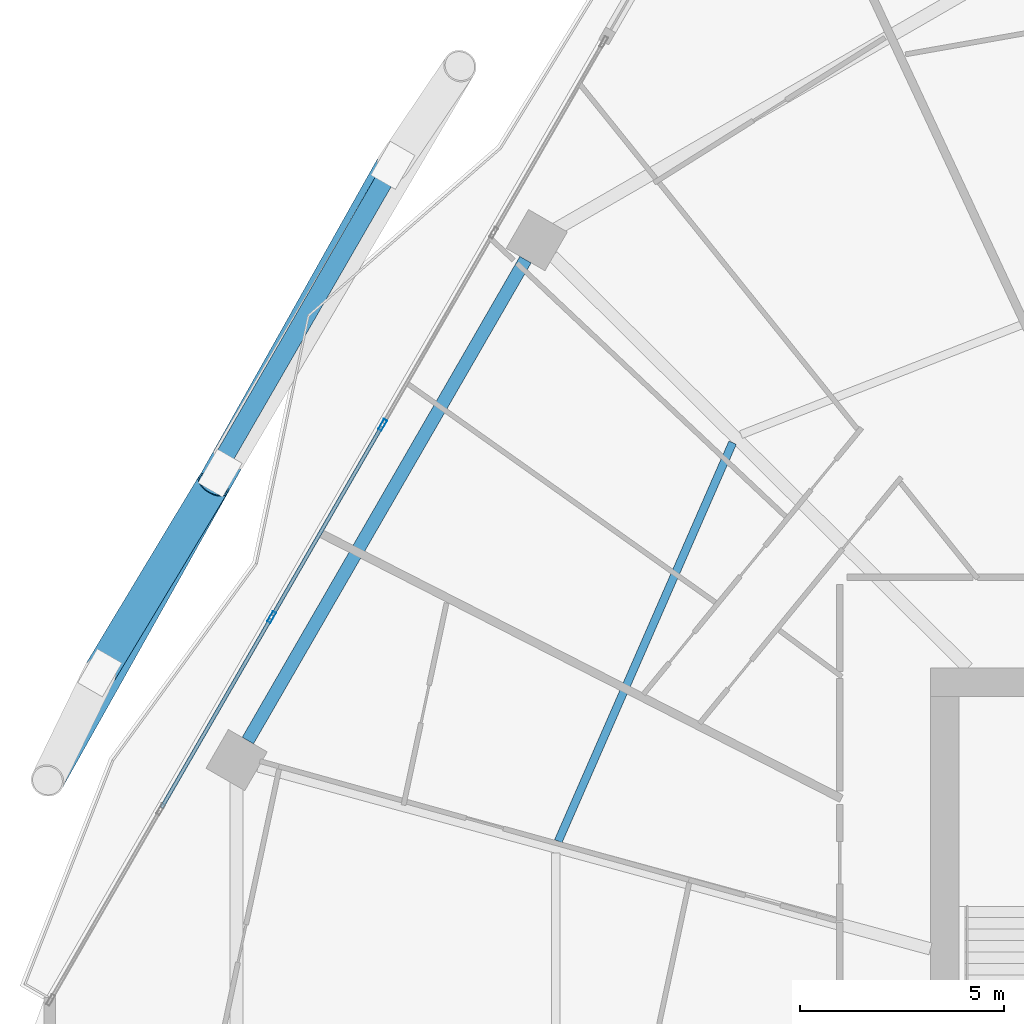
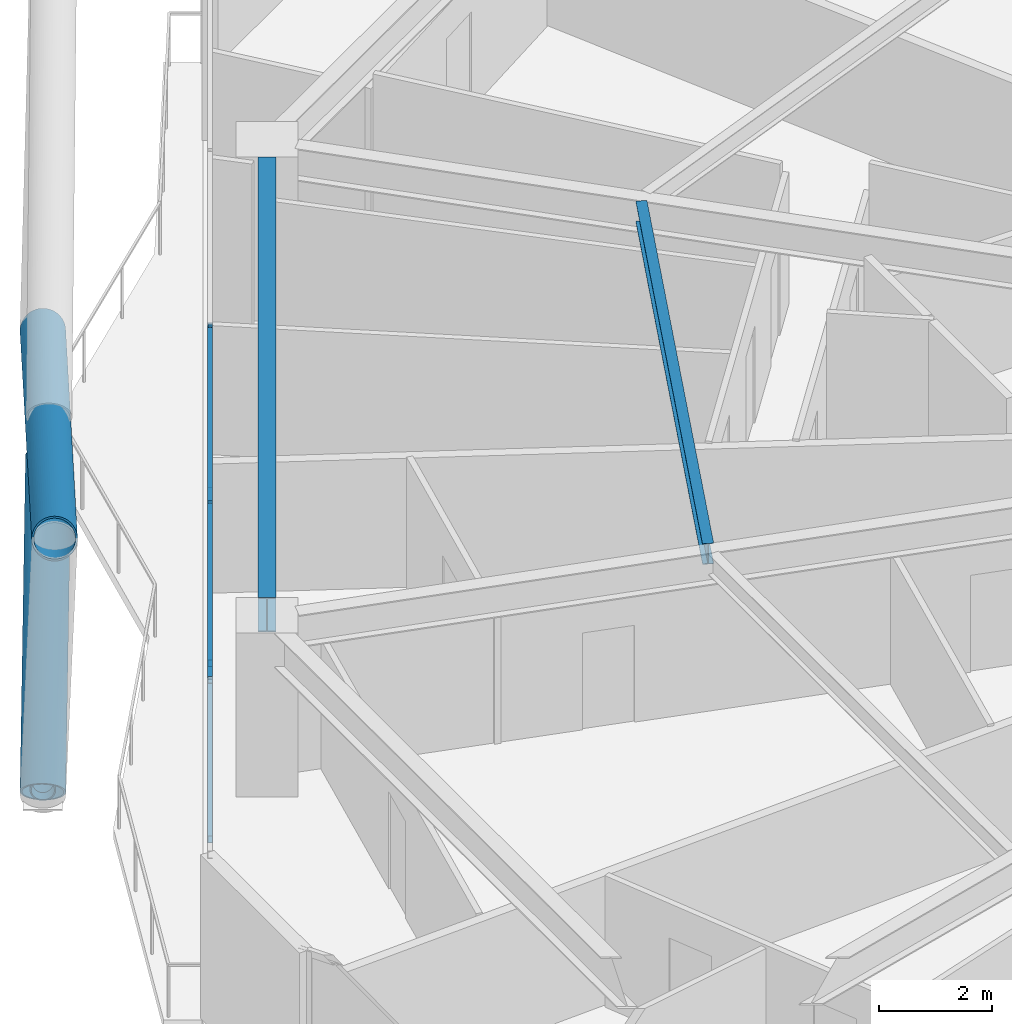
# One storey, part 15 of 34: 9 members, 2 beams, 1 element without a shape of its own.
"""IFC4 building model written with IfcOpenShell, lengths in metres."""

import ifcopenshell
import ifcopenshell.guid

model = None  # the IFC model being written
_history = None  # IfcOwnerHistory: only IFC2X3 demands one
_inside = {}  # id of a spatial element -> (the spatial element, [elements in it])
_under = {}  # id of a project, library or spatial element -> (it, [spatial elements below it])
_declared = {}  # id of a project -> (the project, [libraries it declares])
_typed = {}  # id of a type object -> (the type object, [elements of that type])
_made_of = {}  # id of a material, layer set ... -> (it, [elements and type objects made of it])


def new_model(schema):
    """Start an empty IFC model of exactly this schema.

    Asked for "IFC4X3", IfcOpenShell would pick the latest addendum, in which some entities
    have other attributes; the version numbers below select the first issue.
    IFC2X3 requires an IfcOwnerHistory on every rooted entity: one is made here for all.
    """
    global model, _history
    if schema == "IFC4X3":
        model = ifcopenshell.file(schema_version=(4, 3, 0, 0))
    else:
        model = ifcopenshell.file(schema=schema)
    _inside.clear()
    _under.clear()
    _declared.clear()
    _typed.clear()
    _made_of.clear()
    _history = None
    if model.schema == "IFC2X3":
        org = make("IfcOrganization", Name="unknown")
        user = make(
            "IfcPersonAndOrganization",
            ThePerson=make("IfcPerson", FamilyName="unknown"),
            TheOrganization=org,
        )
        app = make(
            "IfcApplication",
            ApplicationDeveloper=org,
            Version="unknown",
            ApplicationFullName="unknown",
            ApplicationIdentifier="unknown",
        )
        _history = make(
            "IfcOwnerHistory",
            OwningUser=user,
            OwningApplication=app,
            ChangeAction="ADDED",
            CreationDate=0,
        )
    return model


def make(cls, **values):
    """One entity of the class cls with the attributes given. An attribute that is None is left unset."""
    return model.create_entity(
        cls, **{name: value for name, value in values.items() if value is not None}
    )


def rooted(cls, **values):
    """An entity with a GlobalId (a new one), such as an element, a storey or a relation."""
    return make(cls, GlobalId=ifcopenshell.guid.new(), OwnerHistory=_history, **values)


def si_unit(unit_type, name, prefix=None):
    """IfcSIUnit, for example si_unit("LENGTHUNIT", "METRE", prefix="MILLI")."""
    return make("IfcSIUnit", UnitType=unit_type, Prefix=prefix, Name=name)


def assignment(units):
    """IfcUnitAssignment: the units of a project."""
    return None if units is None else make("IfcUnitAssignment", Units=units)


def point(xyz):
    """IfcCartesianPoint."""
    return None if xyz is None else make("IfcCartesianPoint", Coordinates=xyz)


def direction(xyz):
    """IfcDirection."""
    return None if xyz is None else make("IfcDirection", DirectionRatios=xyz)


def frame(location, z_axis=None, x_axis=None):
    """IfcAxis2Placement3D, a coordinate frame: its origin and axes. An axis left out is left unset."""
    return make(
        "IfcAxis2Placement3D",
        Location=point(location),
        Axis=direction(z_axis),
        RefDirection=direction(x_axis),
    )


def frame_2d(location, x_axis=None):
    """IfcAxis2Placement2D, a coordinate frame in the plane: its origin and x axis."""
    return make(
        "IfcAxis2Placement2D", Location=point(location), RefDirection=direction(x_axis)
    )


def origin():
    """The frame at (0, 0, 0) with its axes left unset."""
    return frame((0.0, 0.0, 0.0))


def origin_2d():
    """The frame at (0, 0) in the plane with its x axis left unset."""
    return frame_2d((0.0, 0.0))


def place(relative_to, where):
    """IfcLocalPlacement: puts the frame where relative to a parent placement (None: the world)."""
    return make(
        "IfcLocalPlacement", PlacementRelTo=relative_to, RelativePlacement=where
    )


def context(
    kind, dimensions, precision=None, world=None, true_north=None, identifier=None
):
    """IfcGeometricRepresentationContext, for example the 3D "Model" context."""
    return make(
        "IfcGeometricRepresentationContext",
        ContextIdentifier=identifier,
        ContextType=kind,
        CoordinateSpaceDimension=dimensions,
        Precision=precision,
        WorldCoordinateSystem=world,
        TrueNorth=true_north,
    )


def subcontext(parent, identifier, kind, view, scale=None):
    """IfcGeometricRepresentationSubContext, for example "Body" below "Model"."""
    return make(
        "IfcGeometricRepresentationSubContext",
        ContextIdentifier=identifier,
        ContextType=kind,
        ParentContext=parent,
        TargetScale=scale,
        TargetView=view,
    )


def project(units=None, contexts=None):
    """IfcProject with its units and contexts."""
    return rooted(
        "IfcProject",
        Name="project",
        RepresentationContexts=contexts,
        UnitsInContext=assignment(units),
    )


def spatial(cls, under=None, at=None, **own):
    """A site, building, storey or space (cls), placed at a placement, below another one or the project."""
    s = rooted(cls, ObjectPlacement=at, **own)
    if under is not None:
        _under.setdefault(under.id(), (under, []))[1].append(s)
    return s


def profile(cls, at=None, kind="AREA", **sizes):
    """A parametric profile (cls). Its sizes go by their IFC names, for example OverallWidth=200.0."""
    return make(cls, ProfileType=kind, Position=at, **sizes)


def hollow_rectangle(**sizes):
    """IfcRectangleHollowProfileDef."""
    return profile("IfcRectangleHollowProfileDef", **sizes)


def hollow_circle(**sizes):
    """IfcCircleHollowProfileDef."""
    return profile("IfcCircleHollowProfileDef", **sizes)


def i_section(**sizes):
    """IfcIShapeProfileDef."""
    return profile("IfcIShapeProfileDef", **sizes)


def extrude(swept, where, along, depth):
    """IfcExtrudedAreaSolid: the profile swept, set in the frame where, extruded along a direction by depth."""
    return make(
        "IfcExtrudedAreaSolid",
        SweptArea=swept,
        Position=where,
        ExtrudedDirection=direction(along),
        Depth=depth,
    )


def shape(context_of_items, identifier, shape_type, items):
    """IfcShapeRepresentation: the items that make up one representation, for example the "Body"."""
    return make(
        "IfcShapeRepresentation",
        ContextOfItems=context_of_items,
        RepresentationIdentifier=identifier,
        RepresentationType=shape_type,
        Items=items,
    )


def material(Name=None, Category=None):
    """IfcMaterial."""
    return make("IfcMaterial", Name=Name, Category=Category)


def material_profile(
    of_material, cross_section, Name=None, Category=None, Priority=None
):
    """IfcMaterialProfile: a cross section and its material."""
    return make(
        "IfcMaterialProfile",
        Name=Name,
        Material=of_material,
        Profile=cross_section,
        Priority=Priority,
        Category=Category,
    )


def profile_set(profiles, Name=None, composite=None):
    """IfcMaterialProfileSet."""
    return make(
        "IfcMaterialProfileSet",
        Name=Name,
        MaterialProfiles=profiles,
        CompositeProfile=composite,
    )


def made_of(thing, what):
    """Note that an element or type object is made of a material, layer set ...; save() writes the relation."""
    if what is not None:
        _made_of.setdefault(what.id(), (what, []))[1].append(thing)
    return thing


def type_object(cls, material=None, **own):
    """A type object (cls), such as IfcWallType, which elements share."""
    return made_of(rooted(cls, **own), material)


def element(
    cls,
    number,
    at=None,
    inside=None,
    cuts=None,
    type_object=None,
    material=None,
    context=None,
    identifier="Body",
    shape_type=None,
    held_by="IfcProductDefinitionShape",
    body=None,
    shapes=None,
    **own,
):
    """One element of the class cls, such as IfcWall. Its Tag is "e" and its number.

    at: its placement. inside: the storey or other place that contains it. cuts: it is an
    opening in that element (IfcRelVoidsElement). A single representation is given by context,
    identifier, shape_type and body (its items); several are given by shapes. held_by: the class
    of the entity that holds the representations. save() writes the other relations.
    """
    e = rooted(cls, Tag="e%d" % number, ObjectPlacement=at, **own)
    if body is not None:
        shapes = [shape(context, identifier, shape_type, body)]
    if shapes is not None:
        e.Representation = make(held_by, Representations=shapes)
    if inside is not None:
        _inside.setdefault(inside.id(), (inside, []))[1].append(e)
    if cuts is not None:
        rooted(
            "IfcRelVoidsElement", RelatingBuildingElement=cuts, RelatedOpeningElement=e
        )
    if type_object is not None:
        _typed.setdefault(type_object.id(), (type_object, []))[1].append(e)
    return made_of(e, material)


def aggregate(whole, parts):
    """IfcRelAggregates: a whole, such as a stair, and the parts it consists of."""
    return rooted("IfcRelAggregates", RelatingObject=whole, RelatedObjects=parts)


def save(model, path):
    """Write the relations noted so far, then the file.

    IfcRelAggregates (storeys below a building ...), IfcRelContainedInSpatialStructure (elements
    in a storey), IfcRelDefinesByType, IfcRelAssociatesMaterial and IfcRelDeclares: one each for
    every whole, place, type object, material and project.
    """
    for whole, parts in _under.values():
        aggregate(whole, parts)
    for where, things in _inside.values():
        rooted(
            "IfcRelContainedInSpatialStructure",
            RelatedElements=things,
            RelatingStructure=where,
        )
    for kind, things in _typed.values():
        rooted("IfcRelDefinesByType", RelatedObjects=things, RelatingType=kind)
    for what, things in _made_of.values():
        rooted("IfcRelAssociatesMaterial", RelatedObjects=things, RelatingMaterial=what)
    for by, libraries in _declared.values():
        rooted("IfcRelDeclares", RelatingContext=by, RelatedDefinitions=libraries)
    model.write(path)


model = new_model("IFC4")

# Units and contexts
model_context = context("Model", 3, precision=1e-05, world=origin(), true_north=direction((0.0, 1.0)))
body_context = subcontext(model_context, "Body", "Model", "MODEL_VIEW")
ifc_project = project(units=[si_unit("LENGTHUNIT", "METRE"), si_unit("AREAUNIT", "SQUARE_METRE"), si_unit("VOLUMEUNIT", "CUBIC_METRE"), si_unit("PLANEANGLEUNIT", "RADIAN"), si_unit("MASSUNIT", "GRAM", prefix="KILO")], contexts=[model_context])

# Site, building, storey
site_placement = place(None, origin())
site = spatial("IfcSite", under=ifc_project, at=site_placement, CompositionType="ELEMENT")
building_placement = place(site_placement, origin())
building = spatial("IfcBuilding", under=site, at=building_placement, Name="Zuhravey Tower", CompositionType="ELEMENT")
storey_placement = place(building_placement, frame((0.0, 0.0, 130.39990234375)))
storey = spatial("IfcBuildingStorey", under=building, at=storey_placement, Name="L32", CompositionType="ELEMENT", Elevation=130.39990234375)

# Curtain wall, members
ifc_material_1 = material(Name="Thermally broken anodised aluminium", Category="aluminium")
curtain_wall_type = type_object("IfcCurtainWallType", Name="Zone 1-2 Residential Curtain Wall CW3", PredefinedType="NOTDEFINED", material=ifc_material_1)
curtain_wall_placement = place(storey_placement, origin())
curtain_wall = element("IfcCurtainWall", 1, at=curtain_wall_placement, inside=storey, type_object=curtain_wall_type, Name="L32 CW3 CW-L32-F3-1", PredefinedType="NOTDEFINED")
ifc_material_2 = material(Name="Anodised aluminium", Category="aluminium")
ifc_material_profile_1 = material_profile(ifc_material_2, hollow_rectangle(XDim=0.090087890625, YDim=0.284912109375, WallThickness=0.0048828125, at=origin_2d()), Name="ALU-RHS-90x285x5")
ifc_profile_set_1 = profile_set([ifc_material_profile_1], Name="Anodised aluminium")
member_type_1 = type_object("IfcMemberType", Name="Curtain-Wall Mullion 90x180", PredefinedType="MULLION", material=ifc_profile_set_1)
member_1_placement = place(storey_placement, frame((8.97119140625, 43.101806640625, 0.0), z_axis=(0.0, 0.0, 1.0), x_axis=(-0.866025163156, 0.500000416781, 0.0)))
member_1 = element("IfcMember", 2, at=member_1_placement, type_object=member_type_1, Name="CW3 mullion 3", PredefinedType="MULLION", context=body_context, shape_type="SweptSolid", body=[
    extrude(hollow_rectangle(XDim=0.090087890625, YDim=0.284912109375, WallThickness=0.0048828125, at=origin_2d()), origin(), (0.0, 0.0, 1.0), 3.550048828125),
])
member_2_placement = place(storey_placement, frame((11.6962890625, 47.821533203125, 0.0), z_axis=(0.0, 0.0, 1.0), x_axis=(-0.866025163156, 0.500000416781, 0.0)))
member_2 = element("IfcMember", 3, at=member_2_placement, type_object=member_type_1, Name="CW3 mullion 4", PredefinedType="MULLION", context=body_context, shape_type="SweptSolid", body=[
    extrude(hollow_rectangle(XDim=0.090087890625, YDim=0.284912109375, WallThickness=0.0048828125, at=origin_2d()), origin(), (0.0, 0.0, 1.0), 3.550048828125),
])
ifc_material_profile_2 = material_profile(ifc_material_2, hollow_rectangle(XDim=0.090087890625, YDim=0.14990234375, WallThickness=0.0048828125, at=origin_2d()), Name="ALU-RHS-90x150x5")
ifc_profile_set_2 = profile_set([ifc_material_profile_2], Name="Anodised aluminium")
member_type_2 = type_object("IfcMemberType", Name="Curtain-Wall Transom 90x150", PredefinedType="USERDEFINED", material=ifc_profile_set_2)
member_3_placement = place(storey_placement, frame((6.268798828125, 38.421142578125, 0.045166015625), z_axis=(0.500014235175, 0.866017184946, 0.0), x_axis=(-0.866017184946, 0.500014235175, 0.0)))
member_3 = element("IfcMember", 4, at=member_3_placement, type_object=member_type_2, Name="CW3 transom 2.1", ObjectType="TRANSOM", PredefinedType="USERDEFINED", context=body_context, shape_type="SweptSolid", body=[
    extrude(hollow_rectangle(XDim=0.090087890625, YDim=0.14990234375, WallThickness=0.0048828125, at=origin_2d()), origin(), (0.0, 0.0, 1.0), 5.359619140625),
])
member_4_placement = place(storey_placement, frame((6.268798828125, 38.421142578125, 3.505126953125), z_axis=(0.500014235175, 0.866017184946, 0.0), x_axis=(-0.866017184946, 0.500014235175, 0.0)))
member_4 = element("IfcMember", 5, at=member_4_placement, type_object=member_type_2, Name="CW3 transom 2.2", ObjectType="TRANSOM", PredefinedType="USERDEFINED", context=body_context, shape_type="SweptSolid", body=[
    extrude(hollow_rectangle(XDim=0.090087890625, YDim=0.14990234375, WallThickness=0.0048828125, at=origin_2d()), origin(), (0.0, 0.0, 1.0), 5.359619140625),
])
member_5_placement = place(storey_placement, frame((8.993896484375, 43.140869140625, 0.045166015625), z_axis=(0.499980071345, 0.866036909293, 0.0), x_axis=(-0.866036909293, 0.499980071345, 0.0)))
member_5 = element("IfcMember", 6, at=member_5_placement, type_object=member_type_2, Name="CW3 transom 3.1", ObjectType="TRANSOM", PredefinedType="USERDEFINED", context=body_context, shape_type="SweptSolid", body=[
    extrude(hollow_rectangle(XDim=0.090087890625, YDim=0.14990234375, WallThickness=0.0048828125, at=origin_2d()), origin(), (0.0, 0.0, 1.0), 5.359619140625),
])
member_6_placement = place(storey_placement, frame((8.993896484375, 43.140869140625, 3.505126953125), z_axis=(0.499980071345, 0.866036909293, 0.0), x_axis=(-0.866036909293, 0.499980071345, 0.0)))
member_6 = element("IfcMember", 7, at=member_6_placement, type_object=member_type_2, Name="CW3 transom 3.2", ObjectType="TRANSOM", PredefinedType="USERDEFINED", context=body_context, shape_type="SweptSolid", body=[
    extrude(hollow_rectangle(XDim=0.090087890625, YDim=0.14990234375, WallThickness=0.0048828125, at=origin_2d()), origin(), (0.0, 0.0, 1.0), 5.359619140625),
])
aggregate(curtain_wall, [member_1, member_2, member_3, member_4, member_5, member_6])

# Members
ifc_material_3 = material(Name="Steel SM355", Category="steel")
ifc_material_profile_3 = material_profile(ifc_material_3, hollow_circle(Radius=0.228515625, WallThickness=0.02197265625, at=origin_2d()), Name="CHS-457.2x22")
ifc_profile_set_3 = profile_set([ifc_material_profile_3], Name="Steel SM355")
member_type_3 = type_object("IfcMemberType", Name="Exoskeleton Ring Tie CHS457x22", PredefinedType="CHORD", material=ifc_profile_set_3)
member_7_placement = place(storey_placement, frame((11.8759765625, 54.072998046875, -0.4638671875), z_axis=(-0.499995593262, -0.866027948001, 0.0), x_axis=(0.866027948001, -0.499995593262, 0.0)))
element("IfcMember", 8, at=member_7_placement, inside=storey, type_object=member_type_3, Name="L32 Exoskeleton Face 3 Tie EXR1", PredefinedType="CHORD", context=body_context, shape_type="SweptSolid", body=[
    extrude(hollow_circle(Radius=0.228515625, WallThickness=0.02197265625, at=origin_2d()), origin(), (0.0, 0.0, 1.0), 14.107666015625),
])
ifc_material_4 = material(Name="Steel SM460", Category="steel")
ifc_material_profile_4 = material_profile(ifc_material_4, hollow_circle(Radius=0.406494140625, WallThickness=0.035888671875, at=origin_2d()), Name="CHS-812.8x36")
ifc_profile_set_4 = profile_set([ifc_material_profile_4], Name="Steel SM460")
member_type_4 = type_object("IfcMemberType", Name="Exoskeleton Zone 1 Diagrid CHS813x36", PredefinedType="BRACE", material=ifc_profile_set_4)
member_8_placement = place(storey_placement, frame((11.92138671875, 54.150634765625, -0.44189453125), z_axis=(-0.448265881446, -0.798618359661, 0.401579898829), x_axis=(0.872021661786, -0.489467283254, 0.0)))
element("IfcMember", 9, at=member_8_placement, inside=storey, type_object=member_type_4, Name="L32 Face 3 Diagrid Brace 2", PredefinedType="BRACE", context=body_context, shape_type="SweptSolid", body=[
    extrude(hollow_circle(Radius=0.406494140625, WallThickness=0.035888671875, at=origin_2d()), origin(), (0.0, 0.0, 1.0), 18.8154296875),
])
member_9_placement = place(storey_placement, frame((4.775634765625, 41.773193359375, -0.43359375), z_axis=(0.429721620359, 0.713730412997, 0.553107789278), x_axis=(-0.856706400581, 0.515804365242, 0.0)))
element("IfcMember", 10, at=member_9_placement, inside=storey, type_object=member_type_4, Name="L32 Face 3 Split Diagrid Brace 3A", PredefinedType="BRACE", context=body_context, shape_type="SweptSolid", body=[
    extrude(hollow_circle(Radius=0.406494140625, WallThickness=0.035888671875, at=origin_2d()), origin(), (0.0, 0.0, 1.0), 6.418701171875),
])

# Beams
ifc_material_profile_5 = material_profile(ifc_material_3, i_section(OverallWidth=0.320068359375, OverallDepth=0.75, WebThickness=0.013916015625, FlangeThickness=0.02490234375, at=origin_2d()), Name="H-750x320x14x25")
ifc_profile_set_5 = profile_set([ifc_material_profile_5], Name="Steel SM355")
beam_type_1 = type_object("IfcBeamType", Name="Perimeter Ring Beam H750x320", PredefinedType="BEAM", material=ifc_profile_set_5)
beam_1_placement = place(storey_placement, frame((15.20458984375, 51.8779296875, 3.175048828125), z_axis=(-0.500008177929, -0.866020682204, 0.0), x_axis=(0.866020682204, -0.500008177929, 0.0)))
element("IfcBeam", 11, at=beam_1_placement, inside=storey, type_object=beam_type_1, Name="L32 PB1 BM-L32-PB-05", PredefinedType="BEAM", context=body_context, shape_type="SweptSolid", body=[
    extrude(i_section(OverallWidth=0.320068359375, OverallDepth=0.75, WebThickness=0.013916015625, FlangeThickness=0.02490234375, at=origin_2d()), origin(), (0.0, 0.0, 1.0), 13.634033203125),
])
ifc_material_profile_6 = material_profile(ifc_material_3, i_section(OverallWidth=0.199951171875, OverallDepth=0.449951171875, WebThickness=0.009033203125, FlangeThickness=0.013916015625, at=origin_2d()), Name="H-450x200x9x14")
ifc_profile_set_6 = profile_set([ifc_material_profile_6], Name="Steel SM355")
beam_type_2 = type_object("IfcBeamType", Name="Secondary Floor Joist H450x200", PredefinedType="JOIST", material=ifc_profile_set_6)
beam_2_placement = place(storey_placement, frame((20.28955078125, 47.384033203125, 3.3251953125), z_axis=(-0.400786454617, -0.916171500209, 0.0), x_axis=(0.916171500209, -0.400786454617, 0.0)))
element("IfcBeam", 12, at=beam_2_placement, inside=storey, type_object=beam_type_2, Name="L32 SJ1 BM-L32-SJ-05-1", PredefinedType="JOIST", context=body_context, shape_type="SweptSolid", body=[
    extrude(i_section(OverallWidth=0.199951171875, OverallDepth=0.449951171875, WebThickness=0.009033203125, FlangeThickness=0.013916015625, at=origin_2d()), origin(), (0.0, 0.0, 1.0), 10.6796875),
])

save(model, "model.ifc")
